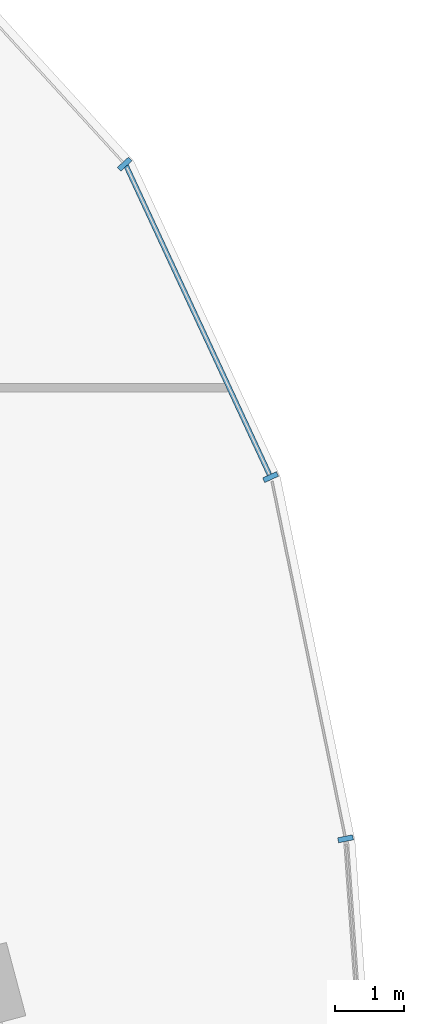
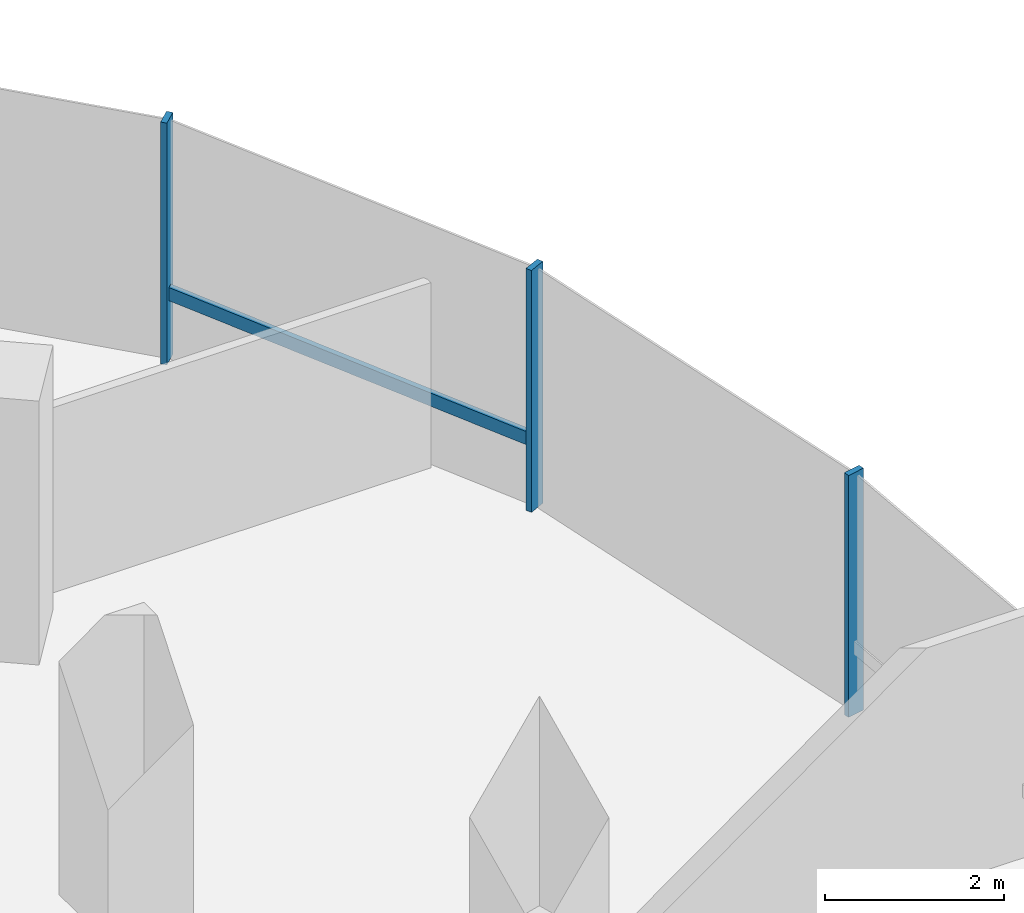
# One storey, part 8 of 21: 4 members, 1 element without a shape of its own.
"""IFC4 building model written with IfcOpenShell, lengths in metres."""

from ifc_helpers import new_model, si_unit, direction, frame, origin, origin_2d, place, context, subcontext, project, spatial, rectangle, extrude, material, material_profile, profile_set, type_object, element, aggregate, save


model = new_model("IFC4")

# Units and contexts
model_context = context("Model", 3, precision=1e-05, world=origin(), true_north=direction((0.0, 1.0)))
body_context = subcontext(model_context, "Body", "Model", "MODEL_VIEW")
ifc_project = project(units=[si_unit("LENGTHUNIT", "METRE"), si_unit("AREAUNIT", "SQUARE_METRE"), si_unit("VOLUMEUNIT", "CUBIC_METRE"), si_unit("PLANEANGLEUNIT", "RADIAN"), si_unit("MASSUNIT", "GRAM", prefix="KILO"), si_unit("THERMODYNAMICTEMPERATUREUNIT", "KELVIN"), si_unit("POWERUNIT", "WATT")], contexts=[model_context])

# Site, building, storey
site_placement = place(None, origin())
site = spatial("IfcSite", under=ifc_project, at=site_placement, CompositionType="ELEMENT")
building_placement = place(site_placement, origin())
building = spatial("IfcBuilding", under=site, at=building_placement, Name="Cundina Bronze Exchange", CompositionType="ELEMENT")
storey_placement = place(building_placement, frame((0.0, 0.0, 117.800048828125)))
storey = spatial("IfcBuildingStorey", under=building, at=storey_placement, Name="L30", CompositionType="ELEMENT", Elevation=117.800048828125)

# Curtain wall, members
ifc_material = material(Name="Anodised Bronze Aluminium 6063-T6", Category="aluminium")
curtain_wall_type = type_object("IfcCurtainWallType", Name="CWS-TRD-MID", PredefinedType="NOTDEFINED", material=ifc_material)
curtain_wall_placement = place(storey_placement, origin())
curtain_wall = element("IfcCurtainWall", 1, at=curtain_wall_placement, inside=storey, type_object=curtain_wall_type, Name="L30 CW-03 Curtain Wall Run CWR-L30-E1", PredefinedType="NOTDEFINED")
ifc_material_profile_1 = material_profile(ifc_material, rectangle(XDim=0.074951171875, YDim=0.219970703125, at=origin_2d()), Name="AL75X220", Category="aluminium")
ifc_profile_set_1 = profile_set([ifc_material_profile_1], Name="Anodised Bronze Aluminium 6063-T6")
member_type_1 = type_object("IfcMemberType", Name="CWM-MUL-220", PredefinedType="MULLION", material=ifc_profile_set_1)
member_1_placement = place(storey_placement, frame((50.717041015625, 8.67822265625, 0.0), z_axis=(0.0, 0.0, 1.0), x_axis=(-0.201419845156, 0.979505000486, 0.0)))
member_1 = element("IfcMember", 2, at=member_1_placement, type_object=member_type_1, Name="CW-03 Mullion 2", PredefinedType="MULLION", context=body_context, shape_type="SweptSolid", body=[
    extrude(rectangle(XDim=0.074951171875, YDim=0.219970703125, at=origin_2d()), origin(), (0.0, 0.0, 1.0), 3.300048828125),
])
member_2_placement = place(storey_placement, frame((49.6279296875, 13.931884765625, 0.0), z_axis=(0.0, 0.0, 1.0), x_axis=(-0.42087749791, 0.907117485088, 0.0)))
member_2 = element("IfcMember", 3, at=member_2_placement, type_object=member_type_1, Name="CW-03 Mullion 3", PredefinedType="MULLION", context=body_context, shape_type="SweptSolid", body=[
    extrude(rectangle(XDim=0.074951171875, YDim=0.219970703125, at=origin_2d()), origin(), (0.0, 0.0, 1.0), 3.300048828125),
])
member_3_placement = place(storey_placement, frame((47.508544921875, 18.47705078125, 0.0), z_axis=(0.0, 0.0, 1.0), x_axis=(-0.674302387584, 0.738455340626, 0.0)))
member_3 = element("IfcMember", 4, at=member_3_placement, type_object=member_type_1, Name="CW-03 Mullion 4", PredefinedType="MULLION", context=body_context, shape_type="SweptSolid", body=[
    extrude(rectangle(XDim=0.074951171875, YDim=0.219970703125, at=origin_2d()), origin(), (0.0, 0.0, 1.0), 3.300048828125),
])
ifc_material_profile_2 = material_profile(ifc_material, rectangle(XDim=0.070068359375, YDim=0.179931640625, at=origin_2d()), Name="AL70X180", Category="aluminium")
ifc_profile_set_2 = profile_set([ifc_material_profile_2], Name="Anodised Bronze Aluminium 6063-T6")
member_type_2 = type_object("IfcMemberType", Name="CWM-TRN-180", PredefinedType="USERDEFINED", material=ifc_profile_set_2)
member_4_placement = place(storey_placement, frame((49.610595703125, 13.96923828125, 0.919921875), z_axis=(-0.420811422796, 0.907148139195, 0.0), x_axis=(-0.907148139195, -0.420811422796, 0.0)))
member_4 = element("IfcMember", 5, at=member_4_placement, type_object=member_type_2, Name="CW-03 Spandrel Transom 3", ObjectType="TRANSOM", PredefinedType="USERDEFINED", context=body_context, shape_type="SweptSolid", body=[
    extrude(rectangle(XDim=0.070068359375, YDim=0.179931640625, at=origin_2d()), origin(), (0.0, 0.0, 1.0), 4.95166015625),
])
aggregate(curtain_wall, [member_1, member_2, member_4, member_3])

save(model, "model.ifc")
